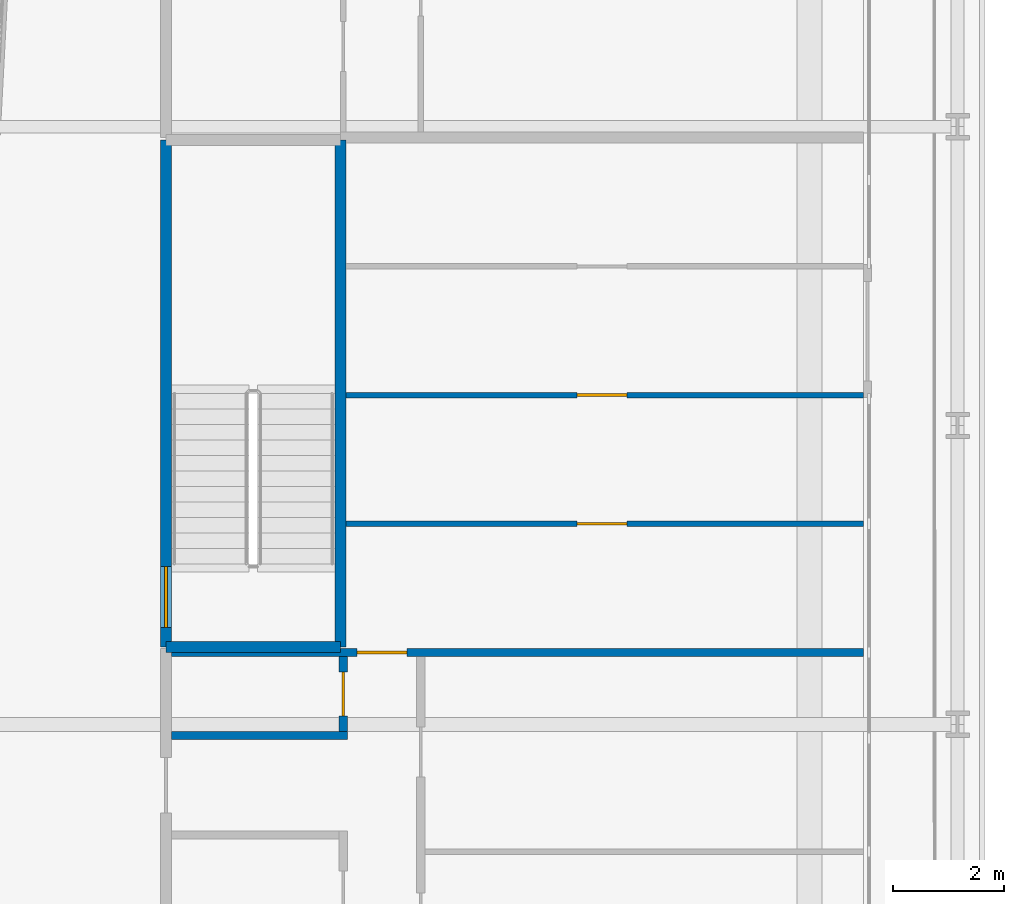
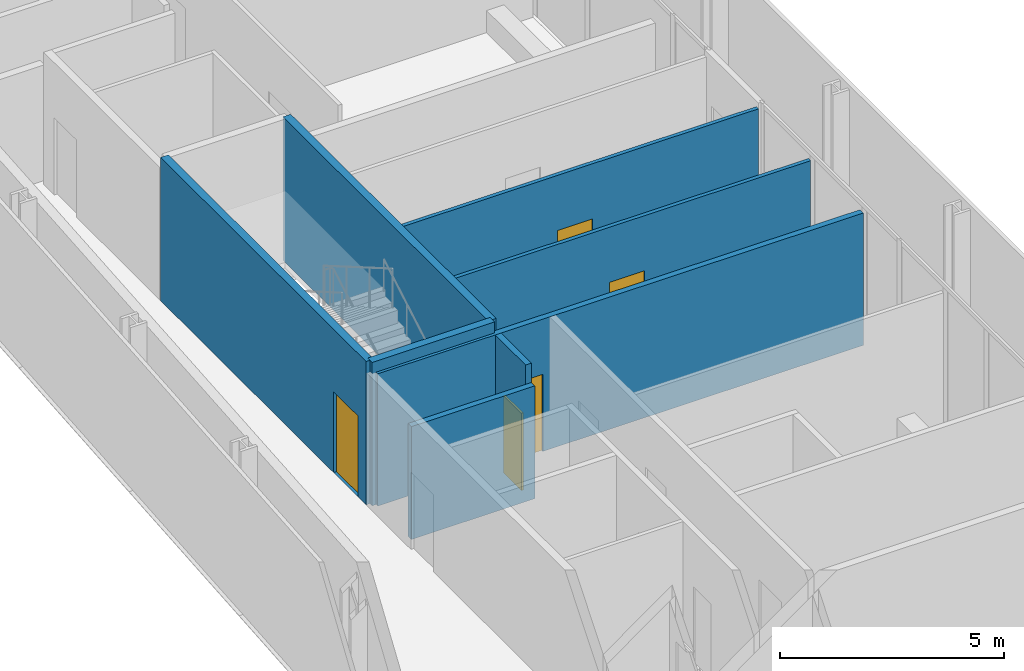
# One storey, part 17 of 27: 8 walls, 5 doors, 5 openings.
"""IFC4 building model written with IfcOpenShell, lengths in metres."""

import ifcopenshell
import ifcopenshell.guid

model = None  # the IFC model being written
_history = None  # IfcOwnerHistory: only IFC2X3 demands one
_inside = {}  # id of a spatial element -> (the spatial element, [elements in it])
_under = {}  # id of a project, library or spatial element -> (it, [spatial elements below it])
_declared = {}  # id of a project -> (the project, [libraries it declares])
_typed = {}  # id of a type object -> (the type object, [elements of that type])
_made_of = {}  # id of a material, layer set ... -> (it, [elements and type objects made of it])


def new_model(schema):
    """Start an empty IFC model of exactly this schema.

    Asked for "IFC4X3", IfcOpenShell would pick the latest addendum, in which some entities
    have other attributes; the version numbers below select the first issue.
    IFC2X3 requires an IfcOwnerHistory on every rooted entity: one is made here for all.
    """
    global model, _history
    if schema == "IFC4X3":
        model = ifcopenshell.file(schema_version=(4, 3, 0, 0))
    else:
        model = ifcopenshell.file(schema=schema)
    _inside.clear()
    _under.clear()
    _declared.clear()
    _typed.clear()
    _made_of.clear()
    _history = None
    if model.schema == "IFC2X3":
        org = make("IfcOrganization", Name="unknown")
        user = make(
            "IfcPersonAndOrganization",
            ThePerson=make("IfcPerson", FamilyName="unknown"),
            TheOrganization=org,
        )
        app = make(
            "IfcApplication",
            ApplicationDeveloper=org,
            Version="unknown",
            ApplicationFullName="unknown",
            ApplicationIdentifier="unknown",
        )
        _history = make(
            "IfcOwnerHistory",
            OwningUser=user,
            OwningApplication=app,
            ChangeAction="ADDED",
            CreationDate=0,
        )
    return model


def make(cls, **values):
    """One entity of the class cls with the attributes given. An attribute that is None is left unset."""
    return model.create_entity(
        cls, **{name: value for name, value in values.items() if value is not None}
    )


def rooted(cls, **values):
    """An entity with a GlobalId (a new one), such as an element, a storey or a relation."""
    return make(cls, GlobalId=ifcopenshell.guid.new(), OwnerHistory=_history, **values)


def si_unit(unit_type, name, prefix=None):
    """IfcSIUnit, for example si_unit("LENGTHUNIT", "METRE", prefix="MILLI")."""
    return make("IfcSIUnit", UnitType=unit_type, Prefix=prefix, Name=name)


def assignment(units):
    """IfcUnitAssignment: the units of a project."""
    return None if units is None else make("IfcUnitAssignment", Units=units)


def point(xyz):
    """IfcCartesianPoint."""
    return None if xyz is None else make("IfcCartesianPoint", Coordinates=xyz)


def direction(xyz):
    """IfcDirection."""
    return None if xyz is None else make("IfcDirection", DirectionRatios=xyz)


def frame(location, z_axis=None, x_axis=None):
    """IfcAxis2Placement3D, a coordinate frame: its origin and axes. An axis left out is left unset."""
    return make(
        "IfcAxis2Placement3D",
        Location=point(location),
        Axis=direction(z_axis),
        RefDirection=direction(x_axis),
    )


def frame_2d(location, x_axis=None):
    """IfcAxis2Placement2D, a coordinate frame in the plane: its origin and x axis."""
    return make(
        "IfcAxis2Placement2D", Location=point(location), RefDirection=direction(x_axis)
    )


def origin():
    """The frame at (0, 0, 0) with its axes left unset."""
    return frame((0.0, 0.0, 0.0))


def place(relative_to, where):
    """IfcLocalPlacement: puts the frame where relative to a parent placement (None: the world)."""
    return make(
        "IfcLocalPlacement", PlacementRelTo=relative_to, RelativePlacement=where
    )


def context(
    kind, dimensions, precision=None, world=None, true_north=None, identifier=None
):
    """IfcGeometricRepresentationContext, for example the 3D "Model" context."""
    return make(
        "IfcGeometricRepresentationContext",
        ContextIdentifier=identifier,
        ContextType=kind,
        CoordinateSpaceDimension=dimensions,
        Precision=precision,
        WorldCoordinateSystem=world,
        TrueNorth=true_north,
    )


def subcontext(parent, identifier, kind, view, scale=None):
    """IfcGeometricRepresentationSubContext, for example "Body" below "Model"."""
    return make(
        "IfcGeometricRepresentationSubContext",
        ContextIdentifier=identifier,
        ContextType=kind,
        ParentContext=parent,
        TargetScale=scale,
        TargetView=view,
    )


def project(units=None, contexts=None):
    """IfcProject with its units and contexts."""
    return rooted(
        "IfcProject",
        Name="project",
        RepresentationContexts=contexts,
        UnitsInContext=assignment(units),
    )


def spatial(cls, under=None, at=None, **own):
    """A site, building, storey or space (cls), placed at a placement, below another one or the project."""
    s = rooted(cls, ObjectPlacement=at, **own)
    if under is not None:
        _under.setdefault(under.id(), (under, []))[1].append(s)
    return s


def profile(cls, at=None, kind="AREA", **sizes):
    """A parametric profile (cls). Its sizes go by their IFC names, for example OverallWidth=200.0."""
    return make(cls, ProfileType=kind, Position=at, **sizes)


def rectangle(**sizes):
    """IfcRectangleProfileDef."""
    return profile("IfcRectangleProfileDef", **sizes)


def extrude(swept, where, along, depth):
    """IfcExtrudedAreaSolid: the profile swept, set in the frame where, extruded along a direction by depth."""
    return make(
        "IfcExtrudedAreaSolid",
        SweptArea=swept,
        Position=where,
        ExtrudedDirection=direction(along),
        Depth=depth,
    )


def shape(context_of_items, identifier, shape_type, items):
    """IfcShapeRepresentation: the items that make up one representation, for example the "Body"."""
    return make(
        "IfcShapeRepresentation",
        ContextOfItems=context_of_items,
        RepresentationIdentifier=identifier,
        RepresentationType=shape_type,
        Items=items,
    )


def source(mapping_origin, context_of_items, identifier, shape_type, items):
    """IfcRepresentationMap: a shape defined once, which mapped items show again and again."""
    return make(
        "IfcRepresentationMap",
        MappingOrigin=mapping_origin,
        MappedRepresentation=shape(context_of_items, identifier, shape_type, items),
    )


def transform(
    local_origin,
    x_axis=None,
    y_axis=None,
    z_axis=None,
    scale=None,
    scale2=None,
    scale3=None,
    uniform=True,
):
    """IfcCartesianTransformationOperator3D, or its non-uniform kind. x_axis, y_axis, z_axis: its Axis1, 2, 3."""
    if uniform:
        return make(
            "IfcCartesianTransformationOperator3D",
            Axis1=direction(x_axis),
            Axis2=direction(y_axis),
            LocalOrigin=point(local_origin),
            Scale=scale,
            Axis3=direction(z_axis),
        )
    return make(
        "IfcCartesianTransformationOperator3DnonUniform",
        Axis1=direction(x_axis),
        Axis2=direction(y_axis),
        LocalOrigin=point(local_origin),
        Scale=scale,
        Axis3=direction(z_axis),
        Scale2=scale2,
        Scale3=scale3,
    )


def mapped(mapping_source, mapping_target):
    """IfcMappedItem: shows the shape of a source again, moved by a transform."""
    return make(
        "IfcMappedItem", MappingSource=mapping_source, MappingTarget=mapping_target
    )


def material(Name=None, Category=None):
    """IfcMaterial."""
    return make("IfcMaterial", Name=Name, Category=Category)


def layer(
    of_material, thickness, ventilated=None, Name=None, Category=None, Priority=None
):
    """IfcMaterialLayer: one layer of a wall or slab, of a material (None: an air gap)."""
    return make(
        "IfcMaterialLayer",
        Material=of_material,
        LayerThickness=thickness,
        IsVentilated=ventilated,
        Name=Name,
        Category=Category,
        Priority=Priority,
    )


def layer_set(layers, Name=None):
    """IfcMaterialLayerSet."""
    return make("IfcMaterialLayerSet", MaterialLayers=layers, LayerSetName=Name)


def made_of(thing, what):
    """Note that an element or type object is made of a material, layer set ...; save() writes the relation."""
    if what is not None:
        _made_of.setdefault(what.id(), (what, []))[1].append(thing)
    return thing


def type_object(cls, material=None, **own):
    """A type object (cls), such as IfcWallType, which elements share."""
    return made_of(rooted(cls, **own), material)


def element(
    cls,
    number,
    at=None,
    inside=None,
    cuts=None,
    type_object=None,
    material=None,
    context=None,
    identifier="Body",
    shape_type=None,
    held_by="IfcProductDefinitionShape",
    body=None,
    shapes=None,
    **own,
):
    """One element of the class cls, such as IfcWall. Its Tag is "e" and its number.

    at: its placement. inside: the storey or other place that contains it. cuts: it is an
    opening in that element (IfcRelVoidsElement). A single representation is given by context,
    identifier, shape_type and body (its items); several are given by shapes. held_by: the class
    of the entity that holds the representations. save() writes the other relations.
    """
    e = rooted(cls, Tag="e%d" % number, ObjectPlacement=at, **own)
    if body is not None:
        shapes = [shape(context, identifier, shape_type, body)]
    if shapes is not None:
        e.Representation = make(held_by, Representations=shapes)
    if inside is not None:
        _inside.setdefault(inside.id(), (inside, []))[1].append(e)
    if cuts is not None:
        rooted(
            "IfcRelVoidsElement", RelatingBuildingElement=cuts, RelatedOpeningElement=e
        )
    if type_object is not None:
        _typed.setdefault(type_object.id(), (type_object, []))[1].append(e)
    return made_of(e, material)


def fill(opening, filler):
    """IfcRelFillsElement: the door or window that sits in an opening."""
    return rooted(
        "IfcRelFillsElement",
        RelatingOpeningElement=opening,
        RelatedBuildingElement=filler,
    )


def aggregate(whole, parts):
    """IfcRelAggregates: a whole, such as a stair, and the parts it consists of."""
    return rooted("IfcRelAggregates", RelatingObject=whole, RelatedObjects=parts)


def save(model, path):
    """Write the relations noted so far, then the file.

    IfcRelAggregates (storeys below a building ...), IfcRelContainedInSpatialStructure (elements
    in a storey), IfcRelDefinesByType, IfcRelAssociatesMaterial and IfcRelDeclares: one each for
    every whole, place, type object, material and project.
    """
    for whole, parts in _under.values():
        aggregate(whole, parts)
    for where, things in _inside.values():
        rooted(
            "IfcRelContainedInSpatialStructure",
            RelatedElements=things,
            RelatingStructure=where,
        )
    for kind, things in _typed.values():
        rooted("IfcRelDefinesByType", RelatedObjects=things, RelatingType=kind)
    for what, things in _made_of.values():
        rooted("IfcRelAssociatesMaterial", RelatedObjects=things, RelatingMaterial=what)
    for by, libraries in _declared.values():
        rooted("IfcRelDeclares", RelatingContext=by, RelatedDefinitions=libraries)
    model.write(path)


model = new_model("IFC4")

# Units and contexts
model_context = context("Model", 3, precision=1e-05, world=origin(), true_north=direction((0.0, 1.0)))
body_context = subcontext(model_context, "Body", "Model", "MODEL_VIEW")
ifc_project = project(units=[si_unit("LENGTHUNIT", "METRE"), si_unit("AREAUNIT", "SQUARE_METRE"), si_unit("VOLUMEUNIT", "CUBIC_METRE"), si_unit("PLANEANGLEUNIT", "RADIAN"), si_unit("MASSUNIT", "GRAM", prefix="KILO")], contexts=[model_context])

# Site, building, storey
site_placement = place(None, origin())
site = spatial("IfcSite", under=ifc_project, at=site_placement, CompositionType="ELEMENT")
building_placement = place(site_placement, origin())
building = spatial("IfcBuilding", under=site, at=building_placement, Name="Kheshtan School and Residences Tower", CompositionType="ELEMENT")
storey_placement = place(building_placement, frame((0.0, 0.0, 53.89990234375)))
storey = spatial("IfcBuildingStorey", under=building, at=storey_placement, Name="L12", CompositionType="ELEMENT", Elevation=53.89990234375)

# Wall, opening, door
ifc_material_1 = material(Name="Gypsum board on steel studs", Category="steel")
ifc_layer_1 = layer(ifc_material_1, 0.10009765625)
ifc_layer_set_1 = layer_set([ifc_layer_1], Name="Gypsum partition 100")
wall_type_1 = type_object("IfcWallType", Name="Gypsum partition 100", PredefinedType="PARTITIONING", material=ifc_layer_set_1)
wall_1_placement = place(storey_placement, frame((36.549072265625, 81.625, 0.0), z_axis=(0.0, 0.0, 1.0), x_axis=(1.0, 0.0, 0.0)))
wall_1 = element("IfcWall", 1, at=wall_1_placement, inside=storey, type_object=wall_type_1, Name="Partition L12-027", PredefinedType="PARTITIONING", context=body_context, shape_type="SweptSolid", body=[
    extrude(rectangle(XDim=9.350830078125, YDim=0.10009765625, at=frame_2d((4.67529296875, 0.0))), origin(), (0.0, 0.0, 1.0), 3.60009765625),
])
opening_1_placement = place(wall_1_placement, frame((4.176025390625, 0.0, 0.0)))
opening_1 = element("IfcOpeningElement", 2, at=opening_1_placement, cuts=wall_1, Name="Opening D12-049", PredefinedType="OPENING", context=body_context, shape_type="SweptSolid", body=[
    extrude(rectangle(XDim=0.89990234375, YDim=2.10009765625, at=frame_2d((0.449951171875, 1.050048828125))), frame((0.0, 0.06005859375, 0.0), z_axis=(0.0, -1.0, 0.0), x_axis=(1.0, 0.0, 0.0)), (0.0, 0.0, 1.0), 0.1201171875),
])
ifc_material_2 = material(Name="Veneered timber door leaf", Category="wood")
door_type_1 = type_object("IfcDoorType", Name="Door 900 x 2100", OperationType="SINGLE_SWING_LEFT", PredefinedType="DOOR", material=ifc_material_2)
shared_shape_1 = source(origin(), body_context, "Body", "SweptSolid", [
    extrude(rectangle(XDim=0.89990234375, YDim=2.10009765625, at=frame_2d((0.449951171875, 1.050048828125))), frame((0.0, 0.02490234375, 0.0), z_axis=(0.0, -1.0, 0.0), x_axis=(1.0, 0.0, 0.0)), (0.0, 0.0, 1.0), 0.050048828125),
])
door_1_placement = place(opening_1_placement, origin())
door_1 = element("IfcDoor", 3, at=door_1_placement, inside=storey, type_object=door_type_1, Name="Door D12-049", OperationType="SINGLE_SWING_RIGHT", OverallHeight=2.10009765625, OverallWidth=0.89990234375, PredefinedType="DOOR", context=body_context, shape_type="MappedRepresentation", body=[
    mapped(shared_shape_1, transform((0.0, 0.0, 0.0), x_axis=(1.0, 0.0, 0.0), y_axis=(0.0, 1.0, 0.0), z_axis=(0.0, 0.0, 1.0), scale=1.0)),
])
fill(opening_1, door_1)

wall_2_placement = place(storey_placement, frame((36.549072265625, 83.949951171875, 0.0), z_axis=(0.0, 0.0, 1.0), x_axis=(1.0, 0.0, 0.0)))
wall_2 = element("IfcWall", 4, at=wall_2_placement, inside=storey, type_object=wall_type_1, Name="Partition L12-028", PredefinedType="PARTITIONING", context=body_context, shape_type="SweptSolid", body=[
    extrude(rectangle(XDim=9.350830078125, YDim=0.10009765625, at=frame_2d((4.67529296875, 0.0))), origin(), (0.0, 0.0, 1.0), 3.60009765625),
])
opening_2_placement = place(wall_2_placement, frame((4.176025390625, 0.0, 0.0)))
opening_2 = element("IfcOpeningElement", 5, at=opening_2_placement, cuts=wall_2, Name="Opening D12-050", PredefinedType="OPENING", context=body_context, shape_type="SweptSolid", body=[
    extrude(rectangle(XDim=0.89990234375, YDim=2.10009765625, at=frame_2d((0.449951171875, 1.050048828125))), frame((0.0, 0.06005859375, 0.0), z_axis=(0.0, -1.0, 0.0), x_axis=(1.0, 0.0, 0.0)), (0.0, 0.0, 1.0), 0.1201171875),
])
door_2_placement = place(opening_2_placement, origin())
door_2 = element("IfcDoor", 6, at=door_2_placement, inside=storey, type_object=door_type_1, Name="Door D12-050", OperationType="SINGLE_SWING_RIGHT", OverallHeight=2.10009765625, OverallWidth=0.89990234375, PredefinedType="DOOR", context=body_context, shape_type="MappedRepresentation", body=[
    mapped(shared_shape_1, transform((0.0, 0.0, 0.0), x_axis=(1.0, 0.0, 0.0), y_axis=(0.0, 1.0, 0.0), z_axis=(0.0, 0.0, 1.0), scale=1.0)),
])
fill(opening_2, door_2)

# Wall
ifc_material_3 = material(Name="Concrete C40/50", Category="concrete")
ifc_layer_2 = layer(ifc_material_3, 0.199951171875)
ifc_layer_set_2 = layer_set([ifc_layer_2], Name="Stair enclosure wall 200 Concrete C40/50")
wall_type_2 = type_object("IfcWallType", Name="Stair enclosure wall 200 Concrete C40/50", PredefinedType="SHEAR", material=ifc_layer_set_2)
wall_3_placement = place(storey_placement, frame((33.300048828125, 79.39990234375, 0.0), z_axis=(0.0, 0.0, 1.0), x_axis=(1.0, 0.0, 0.0)))
element("IfcWall", 7, at=wall_3_placement, inside=storey, type_object=wall_type_2, Name="Stair enclosure wall ST3", PredefinedType="SHEAR", context=body_context, shape_type="SweptSolid", body=[
    extrude(rectangle(XDim=3.14990234375, YDim=0.199951171875, at=frame_2d((1.574951171875, 0.0))), origin(), (0.0, 0.0, 1.0), 3.900146484375),
])

# Wall, opening, door
wall_4_placement = place(storey_placement, frame((33.300048828125, 79.39990234375, 0.0), z_axis=(0.0, 0.0, 1.0), x_axis=(0.0, 1.0, 0.0)))
wall_4 = element("IfcWall", 8, at=wall_4_placement, inside=storey, type_object=wall_type_2, Name="Stair enclosure wall ST3", PredefinedType="SHEAR", context=body_context, shape_type="SweptSolid", body=[
    extrude(rectangle(XDim=9.16015625, YDim=0.199951171875, at=frame_2d((4.580078125, 0.0))), origin(), (0.0, 0.0, 1.0), 3.900146484375),
])
opening_3_placement = place(wall_4_placement, frame((0.35009765625, 0.0, 0.0)))
opening_3 = element("IfcOpeningElement", 9, at=opening_3_placement, cuts=wall_4, Name="Opening ST3D", PredefinedType="OPENING", context=body_context, shape_type="SweptSolid", body=[
    extrude(rectangle(XDim=1.10009765625, YDim=2.199951171875, at=frame_2d((0.550048828125, 1.10009765625))), frame((0.0, 0.10986328125, 0.0), z_axis=(0.0, -1.0, 0.0), x_axis=(1.0, 0.0, 0.0)), (0.0, 0.0, 1.0), 0.219970703125),
])
ifc_material_4 = material(Name="Steel door leaf, galvanised", Category="steel")
door_type_2 = type_object("IfcDoorType", Name="Stair door 1100 steel 90 min", OperationType="SINGLE_SWING_LEFT", PredefinedType="DOOR", material=ifc_material_4)
shared_shape_2 = source(origin(), body_context, "Body", "SweptSolid", [
    extrude(rectangle(XDim=1.10009765625, YDim=2.199951171875, at=frame_2d((0.550048828125, 1.10009765625))), frame((0.0, 0.02490234375, 0.0), z_axis=(0.0, -1.0, 0.0), x_axis=(1.0, 0.0, 0.0)), (0.0, 0.0, 1.0), 0.050048828125),
])
door_3_placement = place(opening_3_placement, origin())
door_3 = element("IfcDoor", 10, at=door_3_placement, inside=storey, type_object=door_type_2, Name="Stair ST3 door", OperationType="SINGLE_SWING_RIGHT", OverallHeight=2.199951171875, OverallWidth=1.10009765625, PredefinedType="DOOR", context=body_context, shape_type="MappedRepresentation", body=[
    mapped(shared_shape_2, transform((0.0, 0.0, 0.0), x_axis=(1.0, 0.0, 0.0), y_axis=(0.0, 1.0, 0.0), z_axis=(0.0, 0.0, 1.0), scale=1.0)),
])
fill(opening_3, door_3)

# Walls
wall_5_placement = place(storey_placement, frame((36.449951171875, 79.39990234375, 0.0), z_axis=(0.0, 0.0, 1.0), x_axis=(0.0, 1.0, 0.0)))
element("IfcWall", 11, at=wall_5_placement, inside=storey, type_object=wall_type_2, Name="Stair enclosure wall ST3", PredefinedType="SHEAR", context=body_context, shape_type="SweptSolid", body=[
    extrude(rectangle(XDim=9.16015625, YDim=0.199951171875, at=frame_2d((4.580078125, 0.0))), origin(), (0.0, 0.0, 1.0), 3.900146484375),
])
ifc_material_5 = material(Name="Moisture-resistant gypsum board on steel studs", Category="steel")
ifc_layer_3 = layer(ifc_material_5, 0.14990234375)
ifc_layer_set_3 = layer_set([ifc_layer_3], Name="Wet-room partition 150")
wall_type_3 = type_object("IfcWallType", Name="Wet-room partition 150", PredefinedType="PARTITIONING", material=ifc_layer_set_3)
wall_6_placement = place(storey_placement, frame((33.39990234375, 77.800048828125, 0.0), z_axis=(0.0, 0.0, 1.0), x_axis=(1.0, 0.0, 0.0)))
element("IfcWall", 12, at=wall_6_placement, inside=storey, type_object=wall_type_3, Name="Partition L12-014", PredefinedType="PARTITIONING", context=body_context, shape_type="SweptSolid", body=[
    extrude(rectangle(XDim=3.175048828125, YDim=0.14990234375, at=frame_2d((1.58740234375, 0.0))), origin(), (0.0, 0.0, 1.0), 3.072021484375),
])

# Wall, opening, door
wall_7_placement = place(storey_placement, frame((33.39990234375, 79.300048828125, 0.0), z_axis=(0.0, 0.0, 1.0), x_axis=(1.0, 0.0, 0.0)))
wall_7 = element("IfcWall", 13, at=wall_7_placement, inside=storey, type_object=wall_type_3, Name="Partition L12-015", PredefinedType="PARTITIONING", context=body_context, shape_type="SweptSolid", body=[
    extrude(rectangle(XDim=12.5, YDim=0.14990234375, at=frame_2d((6.25, 0.0))), origin(), (0.0, 0.0, 1.0), 3.60009765625),
])
opening_4_placement = place(wall_7_placement, frame((3.35009765625, 0.0, 0.0)))
opening_4 = element("IfcOpeningElement", 14, at=opening_4_placement, cuts=wall_7, Name="Opening D12-048", PredefinedType="OPENING", context=body_context, shape_type="SweptSolid", body=[
    extrude(rectangle(XDim=0.89990234375, YDim=2.10009765625, at=frame_2d((0.449951171875, 1.050048828125))), frame((0.0, 0.0849609375, 0.0), z_axis=(0.0, -1.0, 0.0), x_axis=(1.0, 0.0, 0.0)), (0.0, 0.0, 1.0), 0.169921875),
])
door_4_placement = place(opening_4_placement, origin())
door_4 = element("IfcDoor", 15, at=door_4_placement, inside=storey, type_object=door_type_1, Name="Door D12-048", OperationType="SINGLE_SWING_LEFT", OverallHeight=2.10009765625, OverallWidth=0.89990234375, PredefinedType="DOOR", context=body_context, shape_type="MappedRepresentation", body=[
    mapped(shared_shape_1, transform((0.0, 0.0, 0.0), x_axis=(1.0, 0.0, 0.0), y_axis=(0.0, 1.0, 0.0), z_axis=(0.0, 0.0, 1.0), scale=1.0)),
])
fill(opening_4, door_4)

wall_8_placement = place(storey_placement, frame((36.5, 77.875, 0.0), z_axis=(0.0, 0.0, 1.0), x_axis=(0.0, 1.0, 0.0)))
wall_8 = element("IfcWall", 16, at=wall_8_placement, inside=storey, type_object=wall_type_3, Name="Partition L12-024", PredefinedType="PARTITIONING", context=body_context, shape_type="SweptSolid", body=[
    extrude(rectangle(XDim=1.35009765625, YDim=0.14990234375, at=frame_2d((0.675048828125, 0.0))), origin(), (0.0, 0.0, 1.0), 3.60009765625),
])
opening_5_placement = place(wall_8_placement, frame((0.27490234375, 0.0, 0.0)))
opening_5 = element("IfcOpeningElement", 17, at=opening_5_placement, cuts=wall_8, Name="Opening D12-047", PredefinedType="OPENING", context=body_context, shape_type="SweptSolid", body=[
    extrude(rectangle(XDim=0.800048828125, YDim=2.10009765625, at=frame_2d((0.39990234375, 1.050048828125))), frame((0.0, 0.0849609375, 0.0), z_axis=(0.0, -1.0, 0.0), x_axis=(1.0, 0.0, 0.0)), (0.0, 0.0, 1.0), 0.169921875),
])
door_type_3 = type_object("IfcDoorType", Name="Door 800 x 2100", OperationType="SINGLE_SWING_LEFT", PredefinedType="DOOR", material=ifc_material_2)
shared_shape_3 = source(origin(), body_context, "Body", "SweptSolid", [
    extrude(rectangle(XDim=0.800048828125, YDim=2.10009765625, at=frame_2d((0.39990234375, 1.050048828125))), frame((0.0, 0.02490234375, 0.0), z_axis=(0.0, -1.0, 0.0), x_axis=(1.0, 0.0, 0.0)), (0.0, 0.0, 1.0), 0.050048828125),
])
door_5_placement = place(opening_5_placement, origin())
door_5 = element("IfcDoor", 18, at=door_5_placement, inside=storey, type_object=door_type_3, Name="Door D12-047", OperationType="SINGLE_SWING_LEFT", OverallHeight=2.10009765625, OverallWidth=0.800048828125, PredefinedType="DOOR", context=body_context, shape_type="MappedRepresentation", body=[
    mapped(shared_shape_3, transform((0.0, 0.0, 0.0), x_axis=(1.0, 0.0, 0.0), y_axis=(0.0, 1.0, 0.0), z_axis=(0.0, 0.0, 1.0), scale=1.0)),
])
fill(opening_5, door_5)

save(model, "model.ifc")
